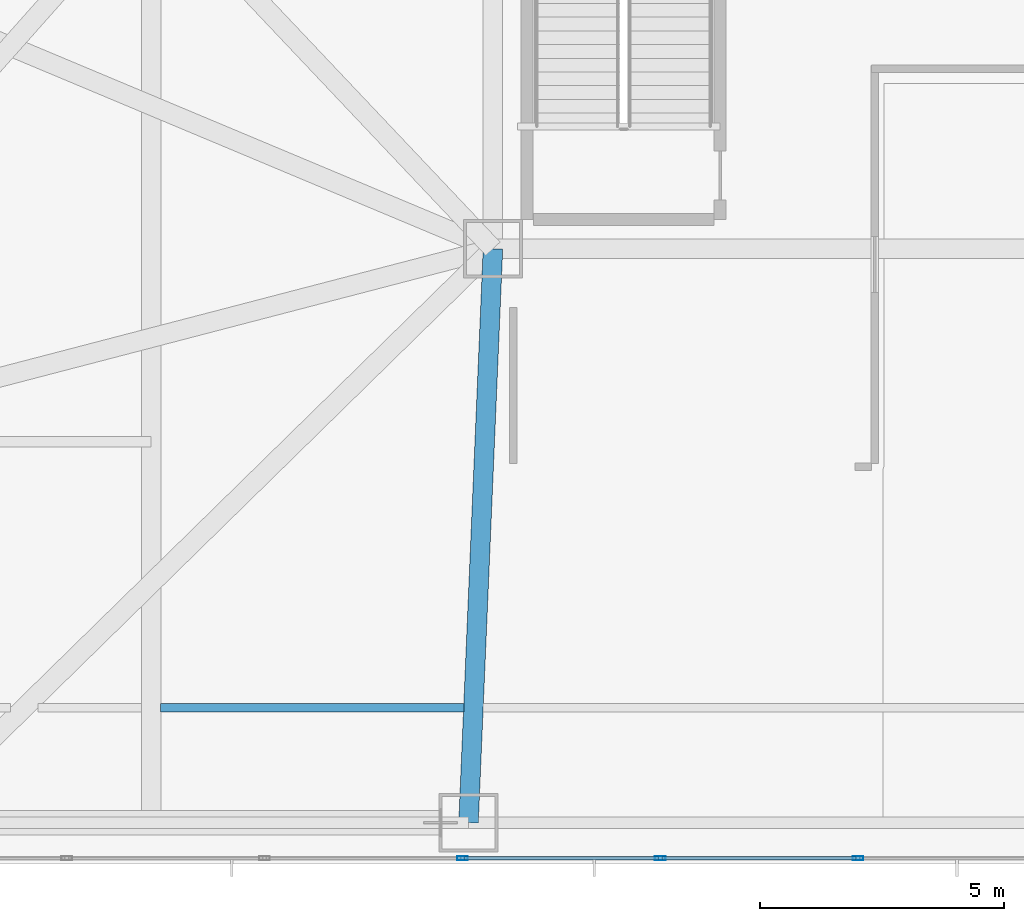
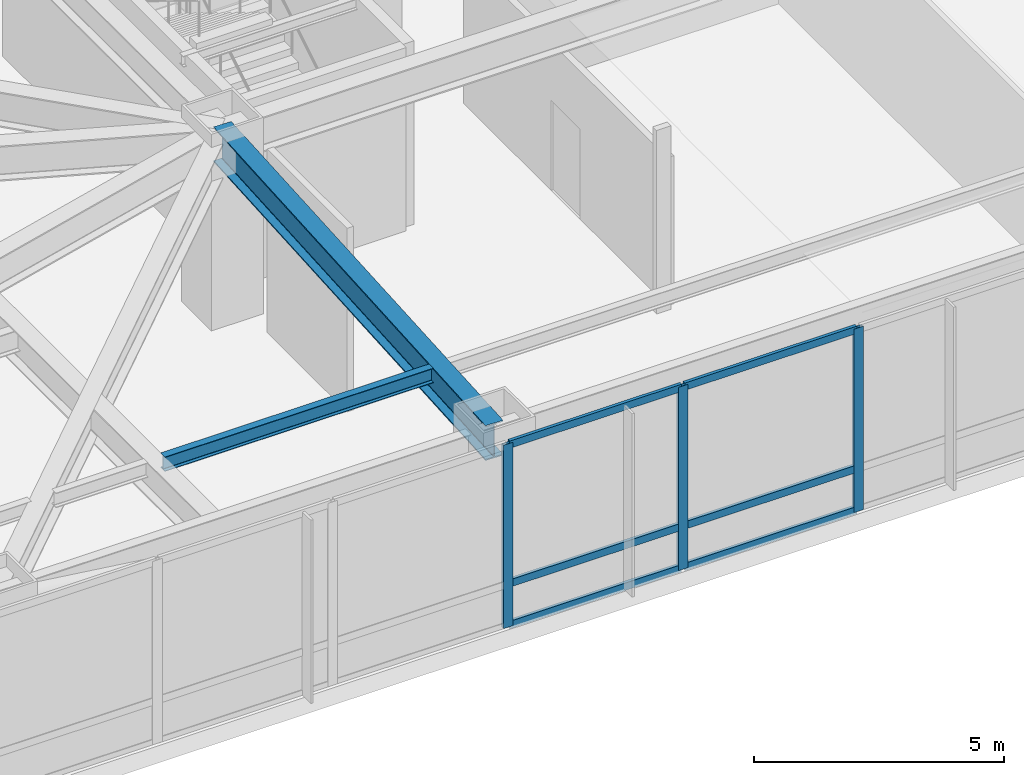
# One storey, part 4 of 33: 9 members, 2 beams, 1 element without a shape of its own.
"""IFC4 building model written with IfcOpenShell, lengths in metres."""

from ifc_helpers import new_model, si_unit, direction, frame, origin, origin_2d, place, context, subcontext, project, spatial, hollow_rectangle, i_section, extrude, material, material_profile, profile_set, type_object, element, aggregate, save


model = new_model("IFC4")

# Units and contexts
model_context = context("Model", 3, precision=1e-05, world=origin(), true_north=direction((0.0, 1.0)))
body_context = subcontext(model_context, "Body", "Model", "MODEL_VIEW")
ifc_project = project(units=[si_unit("LENGTHUNIT", "METRE"), si_unit("AREAUNIT", "SQUARE_METRE"), si_unit("VOLUMEUNIT", "CUBIC_METRE"), si_unit("PLANEANGLEUNIT", "RADIAN"), si_unit("MASSUNIT", "GRAM", prefix="KILO")], contexts=[model_context])

# Site, building, storey
site_placement = place(None, origin())
site = spatial("IfcSite", under=ifc_project, at=site_placement, CompositionType="ELEMENT")
building_placement = place(site_placement, origin())
building = spatial("IfcBuilding", under=site, at=building_placement, Name="Khamvora Tower", CompositionType="ELEMENT")
storey_placement = place(building_placement, frame((0.0, 0.0, 7.199951171875)))
storey = spatial("IfcBuildingStorey", under=building, at=storey_placement, Name="L01", CompositionType="ELEMENT", Elevation=7.199951171875)

# Beams
ifc_material_1 = material(Name="Steel S355", Category="steel")
ifc_material_profile_1 = material_profile(ifc_material_1, i_section(OverallWidth=0.1708984375, OverallDepth=0.35498046875, WebThickness=0.007080078125, FlangeThickness=0.011962890625, FilletRadius=0.010009765625, at=origin_2d()), Name="W360x51")
ifc_profile_set_1 = profile_set([ifc_material_profile_1], Name="Steel S355")
beam_type_1 = type_object("IfcBeamType", Name="BM-JS-W360x51", PredefinedType="JOIST", material=ifc_profile_set_1)
beam_1_placement = place(storey_placement, frame((11.695068359375, 3.199951171875, 4.302001953125), z_axis=(1.0, 0.0, 0.0), x_axis=(0.0, 1.0, 0.0)))
element("IfcBeam", 1, at=beam_1_placement, inside=storey, type_object=beam_type_1, Name="L01 secondary floor joist 03", PredefinedType="JOIST", context=body_context, shape_type="SweptSolid", body=[
    extrude(i_section(OverallWidth=0.1708984375, OverallDepth=0.35498046875, WebThickness=0.007080078125, FlangeThickness=0.011962890625, FilletRadius=0.010009765625, at=origin_2d()), origin(), (0.0, 0.0, 1.0), 6.2099609375),
])
ifc_material_profile_2 = material_profile(ifc_material_1, i_section(OverallWidth=0.39990234375, OverallDepth=0.85498046875, WebThickness=0.01806640625, FlangeThickness=0.029052734375, FilletRadius=0.01806640625, at=origin_2d()), Name="W840x299")
ifc_profile_set_2 = profile_set([ifc_material_profile_2], Name="Steel S355")
beam_type_2 = type_object("IfcBeamType", Name="BM-PG-W840x299", PredefinedType="BEAM", material=ifc_profile_set_2)
beam_2_placement = place(storey_placement, frame((18.5, 12.60009765625, 4.052001953125), z_axis=(-0.042514716625, -0.999095840683, 0.0), x_axis=(0.999095840683, -0.042514716625, 0.0)))
element("IfcBeam", 2, at=beam_2_placement, inside=storey, type_object=beam_type_2, Name="L01 primary floor girder P02", PredefinedType="BEAM", context=body_context, shape_type="SweptSolid", body=[
    extrude(i_section(OverallWidth=0.39990234375, OverallDepth=0.85498046875, WebThickness=0.01806640625, FlangeThickness=0.029052734375, FilletRadius=0.01806640625, at=origin_2d()), origin(), (0.0, 0.0, 1.0), 11.7607421875),
])

# Curtain wall, members
ifc_material_2 = material(Name="Anodised Aluminium 6063-T6", Category="aluminium")
curtain_wall_type = type_object("IfcCurtainWallType", Name="CW-SYS-01", PredefinedType="NOTDEFINED", material=ifc_material_2)
curtain_wall_placement = place(storey_placement, origin())
curtain_wall = element("IfcCurtainWall", 3, at=curtain_wall_placement, inside=storey, type_object=curtain_wall_type, Name="L01 stick curtain wall 14.1", PredefinedType="NOTDEFINED")
ifc_material_profile_3 = material_profile(ifc_material_2, hollow_rectangle(XDim=0.074951171875, YDim=0.219970703125, WallThickness=0.0048828125, at=origin_2d()), Name="MUL75x220x5")
ifc_profile_set_3 = profile_set([ifc_material_profile_3], Name="Anodised Aluminium 6063-T6")
member_type_1 = type_object("IfcMemberType", Name="CW-SYS-01-MUL", PredefinedType="MULLION", material=ifc_profile_set_3)
member_1_placement = place(storey_placement, frame((25.97509765625, 0.1201171875, 0.0), z_axis=(0.0, 0.0, 1.0), x_axis=(0.0, -1.0, 0.0)))
member_1 = element("IfcMember", 4, at=member_1_placement, type_object=member_type_1, Name="CW-01 mullion 7", PredefinedType="MULLION", context=body_context, shape_type="SweptSolid", body=[
    extrude(hollow_rectangle(XDim=0.074951171875, YDim=0.219970703125, WallThickness=0.0048828125, at=origin_2d()), origin(), (0.0, 0.0, 1.0), 4.47998046875),
])
member_2_placement = place(storey_placement, frame((21.925048828125, 0.1201171875, 0.0), z_axis=(0.0, 0.0, 1.0), x_axis=(0.0, -1.0, 0.0)))
member_2 = element("IfcMember", 5, at=member_2_placement, type_object=member_type_1, Name="CW-01 mullion 8", PredefinedType="MULLION", context=body_context, shape_type="SweptSolid", body=[
    extrude(hollow_rectangle(XDim=0.074951171875, YDim=0.219970703125, WallThickness=0.0048828125, at=origin_2d()), origin(), (0.0, 0.0, 1.0), 4.47998046875),
])
member_3_placement = place(storey_placement, frame((17.875, 0.1201171875, 0.0), z_axis=(0.0, 0.0, 1.0), x_axis=(0.0, -1.0, 0.0)))
member_3 = element("IfcMember", 6, at=member_3_placement, type_object=member_type_1, Name="CW-01 mullion 9", PredefinedType="MULLION", context=body_context, shape_type="SweptSolid", body=[
    extrude(hollow_rectangle(XDim=0.074951171875, YDim=0.219970703125, WallThickness=0.0048828125, at=origin_2d()), origin(), (0.0, 0.0, 1.0), 4.47998046875),
])
ifc_material_profile_4 = material_profile(ifc_material_2, hollow_rectangle(XDim=0.074951171875, YDim=0.179931640625, WallThickness=0.0048828125, at=origin_2d()), Name="TRN75x180x5")
ifc_profile_set_4 = profile_set([ifc_material_profile_4], Name="Anodised Aluminium 6063-T6")
member_type_2 = type_object("IfcMemberType", Name="CW-SYS-01-TRN", PredefinedType="USERDEFINED", material=ifc_profile_set_4)
member_4_placement = place(storey_placement, frame((25.9375, 0.1201171875, 0.03759765625), z_axis=(-1.0, 0.0, 0.0), x_axis=(0.0, -1.0, 0.0)))
member_4 = element("IfcMember", 7, at=member_4_placement, type_object=member_type_2, Name="CW-01 transom 7.1", ObjectType="TRANSOM", PredefinedType="USERDEFINED", context=body_context, shape_type="SweptSolid", body=[
    extrude(hollow_rectangle(XDim=0.074951171875, YDim=0.179931640625, WallThickness=0.0048828125, at=origin_2d()), origin(), (0.0, 0.0, 1.0), 3.97509765625),
])
member_5_placement = place(storey_placement, frame((25.9375, 0.1201171875, 1.050048828125), z_axis=(-1.0, 0.0, 0.0), x_axis=(0.0, -1.0, 0.0)))
member_5 = element("IfcMember", 8, at=member_5_placement, type_object=member_type_2, Name="CW-01 transom 7.2", ObjectType="TRANSOM", PredefinedType="USERDEFINED", context=body_context, shape_type="SweptSolid", body=[
    extrude(hollow_rectangle(XDim=0.074951171875, YDim=0.179931640625, WallThickness=0.0048828125, at=origin_2d()), origin(), (0.0, 0.0, 1.0), 3.97509765625),
])
member_6_placement = place(storey_placement, frame((25.9375, 0.1201171875, 4.442626953125), z_axis=(-1.0, 0.0, 0.0), x_axis=(0.0, -1.0, 0.0)))
member_6 = element("IfcMember", 9, at=member_6_placement, type_object=member_type_2, Name="CW-01 transom 7.3", ObjectType="TRANSOM", PredefinedType="USERDEFINED", context=body_context, shape_type="SweptSolid", body=[
    extrude(hollow_rectangle(XDim=0.074951171875, YDim=0.179931640625, WallThickness=0.0048828125, at=origin_2d()), origin(), (0.0, 0.0, 1.0), 3.97509765625),
])
member_7_placement = place(storey_placement, frame((21.887451171875, 0.1201171875, 0.03759765625), z_axis=(-1.0, 0.0, 0.0), x_axis=(0.0, -1.0, 0.0)))
member_7 = element("IfcMember", 10, at=member_7_placement, type_object=member_type_2, Name="CW-01 transom 8.1", ObjectType="TRANSOM", PredefinedType="USERDEFINED", context=body_context, shape_type="SweptSolid", body=[
    extrude(hollow_rectangle(XDim=0.074951171875, YDim=0.179931640625, WallThickness=0.0048828125, at=origin_2d()), origin(), (0.0, 0.0, 1.0), 3.974853515625),
])
member_8_placement = place(storey_placement, frame((21.887451171875, 0.1201171875, 1.050048828125), z_axis=(-1.0, 0.0, 0.0), x_axis=(0.0, -1.0, 0.0)))
member_8 = element("IfcMember", 11, at=member_8_placement, type_object=member_type_2, Name="CW-01 transom 8.2", ObjectType="TRANSOM", PredefinedType="USERDEFINED", context=body_context, shape_type="SweptSolid", body=[
    extrude(hollow_rectangle(XDim=0.074951171875, YDim=0.179931640625, WallThickness=0.0048828125, at=origin_2d()), origin(), (0.0, 0.0, 1.0), 3.974853515625),
])
member_9_placement = place(storey_placement, frame((21.887451171875, 0.1201171875, 4.442626953125), z_axis=(-1.0, 0.0, 0.0), x_axis=(0.0, -1.0, 0.0)))
member_9 = element("IfcMember", 12, at=member_9_placement, type_object=member_type_2, Name="CW-01 transom 8.3", ObjectType="TRANSOM", PredefinedType="USERDEFINED", context=body_context, shape_type="SweptSolid", body=[
    extrude(hollow_rectangle(XDim=0.074951171875, YDim=0.179931640625, WallThickness=0.0048828125, at=origin_2d()), origin(), (0.0, 0.0, 1.0), 3.974853515625),
])
aggregate(curtain_wall, [member_1, member_2, member_3, member_4, member_5, member_6, member_7, member_8, member_9])

save(model, "model.ifc")
